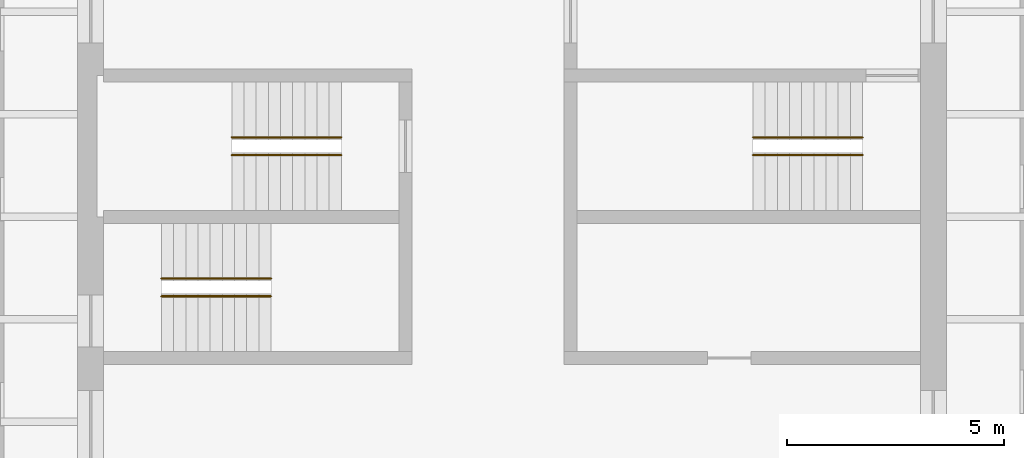
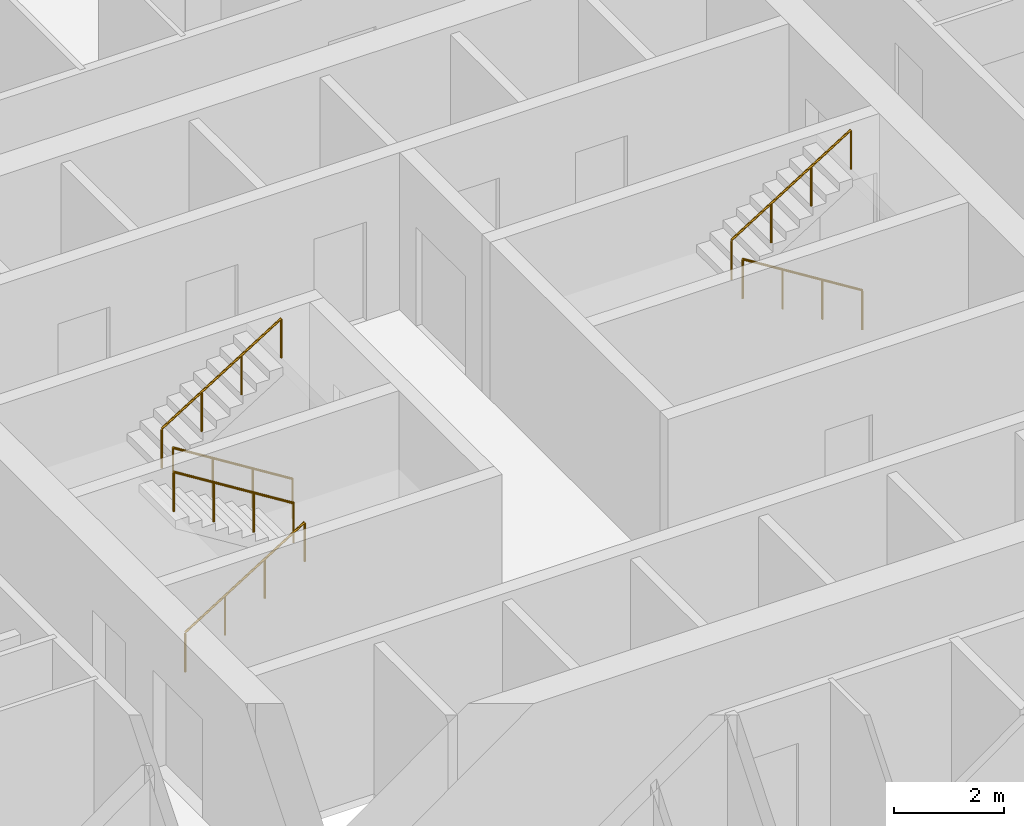
# One storey, part 9 of 9: 6 railings.
"""IFC4 building model written with IfcOpenShell, lengths in metres."""

from ifc_helpers import new_model, si_unit, direction, frame, origin, origin_2d, place, context, subcontext, project, spatial, circle, extrude, material, type_object, element, save


model = new_model("IFC4")

# Units and contexts
model_context = context("Model", 3, precision=1e-05, world=origin(), true_north=direction((0.0, 1.0)))
body_context = subcontext(model_context, "Body", "Model", "MODEL_VIEW")
ifc_project = project(units=[si_unit("LENGTHUNIT", "METRE"), si_unit("AREAUNIT", "SQUARE_METRE"), si_unit("VOLUMEUNIT", "CUBIC_METRE"), si_unit("PLANEANGLEUNIT", "RADIAN"), si_unit("MASSUNIT", "GRAM", prefix="KILO")], contexts=[model_context])

# Site, building, storey
site_placement = place(None, origin())
site = spatial("IfcSite", under=ifc_project, at=site_placement, CompositionType="ELEMENT")
building_placement = place(site_placement, origin())
building = spatial("IfcBuilding", under=site, at=building_placement, Name="Turquesa Mirador Hotel Tower", CompositionType="ELEMENT")
storey_placement = place(building_placement, frame((0.0, 0.0, 135.39990234375)))
storey = spatial("IfcBuildingStorey", under=building, at=storey_placement, Name="L36", CompositionType="ELEMENT", Elevation=135.39990234375)

# Railings
ifc_material = material(Name="Painted steel handrail", Category="steel")
railing_type = type_object("IfcRailingType", Name="HANDRAIL 900 STEEL", PredefinedType="HANDRAIL", material=ifc_material)
railing_1_placement = place(storey_placement, frame((51.070068359375, 46.419921875, 0.175048828125)))
element("IfcRailing", 1, at=railing_1_placement, inside=storey, type_object=railing_type, Name="Handrail ST1", PredefinedType="HANDRAIL", context=body_context, shape_type="SweptSolid", body=[
    extrude(circle(Radius=0.02392578125, at=origin_2d()), frame((0.0, 0.0, 0.8759765625), z_axis=(-0.848007534815, 0.0, 0.529984170421), x_axis=(0.0, -1.0, 0.0)), (0.0, 0.0, 1.0), 2.9716796875),
    extrude(circle(Radius=0.02099609375, at=origin_2d()), origin(), (0.0, 0.0, 1.0), 0.851806640625),
    extrude(circle(Radius=0.02099609375, at=origin_2d()), frame((-0.840087890625, 0.0, 0.52490234375)), (0.0, 0.0, 1.0), 0.851806640625),
    extrude(circle(Radius=0.02099609375, at=origin_2d()), frame((-1.679931640625, 0.0, 1.050048828125)), (0.0, 0.0, 1.0), 0.851806640625),
    extrude(circle(Radius=0.02099609375, at=origin_2d()), frame((-2.52001953125, 0.0, 1.574951171875)), (0.0, 0.0, 1.0), 0.851806640625),
])
for number, where, name in (
    (2, (48.550048828125, 46.830078125, 1.925048828125), "Handrail ST1"),
    (3, (46.929931640625, 43.169921875, 0.175048828125), "Handrail ST2"),
):
    element("IfcRailing", number, at=place(storey_placement, frame(where)), inside=storey, type_object=railing_type, Name=name, PredefinedType="HANDRAIL", context=body_context, shape_type="SweptSolid", body=[
        extrude(circle(Radius=0.02392578125, at=origin_2d()), frame((0.0, 0.0, 0.8759765625), z_axis=(0.848007534815, 0.0, 0.529984170421), x_axis=(0.0, 1.0, 0.0)), (0.0, 0.0, 1.0), 2.9716796875),
        extrude(circle(Radius=0.02099609375, at=origin_2d()), origin(), (0.0, 0.0, 1.0), 0.851806640625),
        extrude(circle(Radius=0.02099609375, at=origin_2d()), frame((0.840087890625, 0.0, 0.52490234375)), (0.0, 0.0, 1.0), 0.851806640625),
        extrude(circle(Radius=0.02099609375, at=origin_2d()), frame((1.679931640625, 0.0, 1.050048828125)), (0.0, 0.0, 1.0), 0.851806640625),
        extrude(circle(Radius=0.02099609375, at=origin_2d()), frame((2.52001953125, 0.0, 1.574951171875)), (0.0, 0.0, 1.0), 0.851806640625),
    ])
for number, where, name in (
    (4, (49.449951171875, 43.580078125, 1.925048828125), "Handrail ST2"),
    (5, (63.070068359375, 46.419921875, 0.175048828125), "Handrail ST3"),
):
    element("IfcRailing", number, at=place(storey_placement, frame(where)), inside=storey, type_object=railing_type, Name=name, PredefinedType="HANDRAIL", context=body_context, shape_type="SweptSolid", body=[
        extrude(circle(Radius=0.02392578125, at=origin_2d()), frame((0.0, 0.0, 0.8759765625), z_axis=(-0.848007534815, 0.0, 0.529984170421), x_axis=(0.0, -1.0, 0.0)), (0.0, 0.0, 1.0), 2.9716796875),
        extrude(circle(Radius=0.02099609375, at=origin_2d()), origin(), (0.0, 0.0, 1.0), 0.851806640625),
        extrude(circle(Radius=0.02099609375, at=origin_2d()), frame((-0.840087890625, 0.0, 0.52490234375)), (0.0, 0.0, 1.0), 0.851806640625),
        extrude(circle(Radius=0.02099609375, at=origin_2d()), frame((-1.679931640625, 0.0, 1.050048828125)), (0.0, 0.0, 1.0), 0.851806640625),
        extrude(circle(Radius=0.02099609375, at=origin_2d()), frame((-2.52001953125, 0.0, 1.574951171875)), (0.0, 0.0, 1.0), 0.851806640625),
    ])
railing_2_placement = place(storey_placement, frame((60.550048828125, 46.830078125, 1.925048828125)))
element("IfcRailing", 6, at=railing_2_placement, inside=storey, type_object=railing_type, Name="Handrail ST3", PredefinedType="HANDRAIL", context=body_context, shape_type="SweptSolid", body=[
    extrude(circle(Radius=0.02392578125, at=origin_2d()), frame((0.0, 0.0, 0.8759765625), z_axis=(0.848007534815, 0.0, 0.529984170421), x_axis=(0.0, 1.0, 0.0)), (0.0, 0.0, 1.0), 2.9716796875),
    extrude(circle(Radius=0.02099609375, at=origin_2d()), origin(), (0.0, 0.0, 1.0), 0.851806640625),
    extrude(circle(Radius=0.02099609375, at=origin_2d()), frame((0.840087890625, 0.0, 0.52490234375)), (0.0, 0.0, 1.0), 0.851806640625),
    extrude(circle(Radius=0.02099609375, at=origin_2d()), frame((1.679931640625, 0.0, 1.050048828125)), (0.0, 0.0, 1.0), 0.851806640625),
    extrude(circle(Radius=0.02099609375, at=origin_2d()), frame((2.52001953125, 0.0, 1.574951171875)), (0.0, 0.0, 1.0), 0.851806640625),
])

save(model, "model.ifc")
